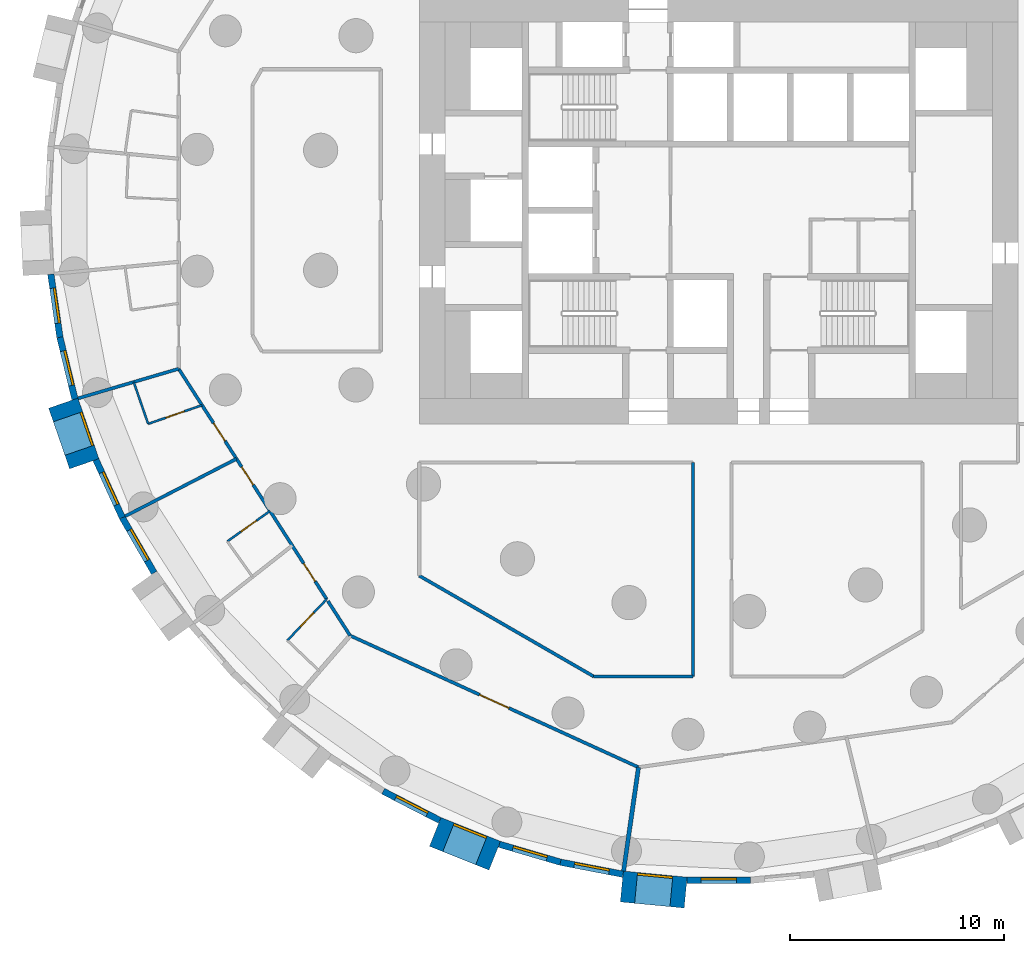
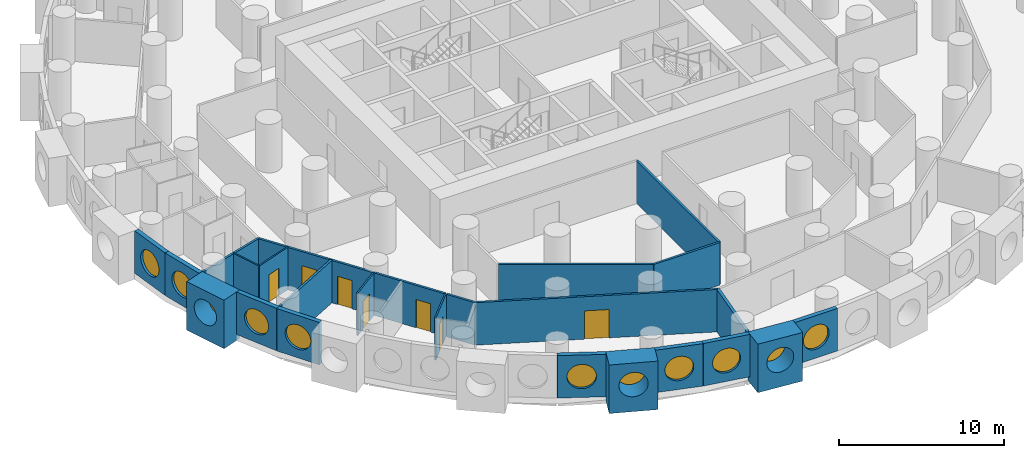
# One storey, part 3 of 12: 24 walls, 11 windows, 7 doors, 18 openings.
"""IFC4 building model written with IfcOpenShell, lengths in metres."""

from ifc_helpers import new_model, si_unit, direction, frame, frame_2d, origin, origin_2d, place, context, subcontext, project, spatial, rectangle, circle, extrude, material, layer, layer_set, type_object, element, fill, save


model = new_model("IFC4")

# Units and contexts
model_context = context("Model", 3, precision=1e-05, world=origin(), true_north=direction((0.0, 1.0)))
body_context = subcontext(model_context, "Body", "Model", "MODEL_VIEW")
ifc_project = project(units=[si_unit("LENGTHUNIT", "METRE"), si_unit("AREAUNIT", "SQUARE_METRE"), si_unit("VOLUMEUNIT", "CUBIC_METRE"), si_unit("PLANEANGLEUNIT", "RADIAN"), si_unit("MASSUNIT", "GRAM", prefix="KILO")], contexts=[model_context])

# Site, building, storey
site_placement = place(None, origin())
site = spatial("IfcSite", under=ifc_project, at=site_placement, CompositionType="ELEMENT")
building_placement = place(site_placement, origin())
building = spatial("IfcBuilding", under=site, at=building_placement, Name="Tracery Tower", CompositionType="ELEMENT")
storey_placement = place(building_placement, frame((0.0, 0.0, 35.39990234375)))
storey = spatial("IfcBuildingStorey", under=building, at=storey_placement, Name="L07", CompositionType="ELEMENT", Elevation=35.39990234375)

# Wall, opening, window
ifc_material_1 = material(Name="Precast concrete C50/60", Category="concrete")
ifc_layer_1 = layer(ifc_material_1, 1.449951171875)
ifc_layer_set_1 = layer_set([ifc_layer_1], Name="Deep-set bay unit 3000 x 3600, slab edge 450")
wall_type_1 = type_object("IfcWallType", Name="Deep-set bay unit 3000 x 3600, slab edge 450", PredefinedType="ELEMENTEDWALL", material=ifc_layer_set_1)
wall_1_placement = place(storey_placement, frame((-30.649169921875, -9.0205078125, -0.449951171875), z_axis=(0.0, 0.0, 1.0), x_axis=(0.327071431777, -0.944999618262, 0.0)))
wall_1 = element("IfcWall", 1, at=wall_1_placement, inside=storey, type_object=wall_type_1, Name="Deep-set bay unit 37 at L07", PredefinedType="ELEMENTEDWALL", context=body_context, shape_type="SweptSolid", body=[
    extrude(rectangle(XDim=3.0, YDim=1.449951171875, at=frame_2d((1.5, 0.0))), origin(), (0.0, 0.0, 1.0), 3.60009765625),
])
opening_1_placement = place(wall_1_placement, frame((1.5, 0.0, 2.0)))
opening_1 = element("IfcOpeningElement", 2, at=opening_1_placement, cuts=wall_1, Name="Opening WN1", PredefinedType="OPENING", context=body_context, shape_type="SweptSolid", body=[
    extrude(circle(Radius=0.9000244140625, at=origin_2d()), frame((0.0, 0.73486328125, 0.0), z_axis=(0.0, -1.0, 0.0), x_axis=(1.0, 0.0, 0.0)), (0.0, 0.0, 1.0), 1.469970703125),
])
ifc_material_2 = material(Name="Aluminium frame with tinted double glazing", Category="aluminium")
window_type = type_object("IfcWindowType", Name="Round window 1800", PartitioningType="SINGLE_PANEL", PredefinedType="WINDOW", material=ifc_material_2)
window_1_placement = place(opening_1_placement, origin())
window_1 = element("IfcWindow", 3, at=window_1_placement, inside=storey, type_object=window_type, Name="Round window 37 at L07", OverallHeight=1.800048828125, OverallWidth=1.800048828125, PartitioningType="SINGLE_PANEL", PredefinedType="WINDOW", context=body_context, shape_type="SweptSolid", body=[
    extrude(circle(Radius=0.9000244140625, at=origin_2d()), frame((0.0, 0.69482421875, 0.0), z_axis=(0.0, -1.0, 0.0), x_axis=(1.0, 0.0, 0.0)), (0.0, 0.0, 1.0), 0.10009765625),
])
fill(opening_1, window_1)

wall_2_placement = place(storey_placement, frame((-13.253662109375, -29.0703125, -0.449951171875), z_axis=(0.0, 0.0, 1.0), x_axis=(0.928358776184, -0.371685327504, 0.0)))
wall_2 = element("IfcWall", 4, at=wall_2_placement, inside=storey, type_object=wall_type_1, Name="Deep-set bay unit 46 at L07", PredefinedType="ELEMENTEDWALL", context=body_context, shape_type="SweptSolid", body=[
    extrude(rectangle(XDim=2.999755859375, YDim=1.449951171875, at=frame_2d((1.5, 0.0))), origin(), (0.0, 0.0, 1.0), 3.60009765625),
])
opening_2_placement = place(wall_2_placement, frame((1.5, 0.0, 2.0)))
opening_2 = element("IfcOpeningElement", 5, at=opening_2_placement, cuts=wall_2, Name="Opening WN1", PredefinedType="OPENING", context=body_context, shape_type="SweptSolid", body=[
    extrude(circle(Radius=0.9000244140625, at=origin_2d()), frame((0.0, 0.73486328125, 0.0), z_axis=(0.0, -1.0, 0.0), x_axis=(1.0, 0.0, 0.0)), (0.0, 0.0, 1.0), 1.469970703125),
])
window_2_placement = place(opening_2_placement, origin())
window_2 = element("IfcWindow", 6, at=window_2_placement, inside=storey, type_object=window_type, Name="Round window 46 at L07", OverallHeight=1.800048828125, OverallWidth=1.800048828125, PartitioningType="SINGLE_PANEL", PredefinedType="WINDOW", context=body_context, shape_type="SweptSolid", body=[
    extrude(circle(Radius=0.9000244140625, at=origin_2d()), frame((0.0, 0.69482421875, 0.0), z_axis=(0.0, -1.0, 0.0), x_axis=(1.0, 0.0, 0.0)), (0.0, 0.0, 1.0), 0.10009765625),
])
fill(opening_2, window_2)

wall_3_placement = place(storey_placement, frame((-4.52685546875, -31.626708984375, -0.449951171875), z_axis=(0.0, 0.0, 1.0), x_axis=(0.995472768558, -0.09504718333, 0.0)))
wall_3 = element("IfcWall", 7, at=wall_3_placement, inside=storey, type_object=wall_type_1, Name="Deep-set bay unit 49 at L07", PredefinedType="ELEMENTEDWALL", context=body_context, shape_type="SweptSolid", body=[
    extrude(rectangle(XDim=3.000244140625, YDim=1.449951171875, at=frame_2d((1.5, 0.0))), origin(), (0.0, 0.0, 1.0), 3.60009765625),
])
opening_3_placement = place(wall_3_placement, frame((1.5, 0.0, 2.0)))
opening_3 = element("IfcOpeningElement", 8, at=opening_3_placement, cuts=wall_3, Name="Opening WN1", PredefinedType="OPENING", context=body_context, shape_type="SweptSolid", body=[
    extrude(circle(Radius=0.9000244140625, at=origin_2d()), frame((0.0, 0.73486328125, 0.0), z_axis=(0.0, -1.0, 0.0), x_axis=(1.0, 0.0, 0.0)), (0.0, 0.0, 1.0), 1.469970703125),
])
window_3_placement = place(opening_3_placement, origin())
window_3 = element("IfcWindow", 9, at=window_3_placement, inside=storey, type_object=window_type, Name="Round window 49 at L07", OverallHeight=1.800048828125, OverallWidth=1.800048828125, PartitioningType="SINGLE_PANEL", PredefinedType="WINDOW", context=body_context, shape_type="SweptSolid", body=[
    extrude(circle(Radius=0.9000244140625, at=origin_2d()), frame((0.0, 0.69482421875, 0.0), z_axis=(0.0, -1.0, 0.0), x_axis=(1.0, 0.0, 0.0)), (0.0, 0.0, 1.0), 0.10009765625),
])
fill(opening_3, window_3)

ifc_material_3 = material(Name="Precast concrete C50/60", Category="concrete")
ifc_layer_2 = layer(ifc_material_3, 0.300048828125)
ifc_layer_set_2 = layer_set([ifc_layer_2], Name="Facade panel 3000 x 3150")
wall_type_2 = type_object("IfcWallType", Name="Facade panel 3000 x 3150", PredefinedType="SOLIDWALL", material=ifc_layer_set_2)
wall_4_placement = place(storey_placement, frame((-31.2314453125, -2.98828125, 0.0), z_axis=(0.0, 0.0, 1.0), x_axis=(0.142315996627, -0.989821275334, 0.0)))
wall_4 = element("IfcWall", 10, at=wall_4_placement, inside=storey, type_object=wall_type_2, Name="Facade panel 35 at L07", PredefinedType="SOLIDWALL", context=body_context, shape_type="SweptSolid", body=[
    extrude(rectangle(XDim=2.979736328125, YDim=0.300048828125, at=frame_2d((1.48974609375, 0.0))), origin(), (0.0, 0.0, 1.0), 3.150146484375),
])
opening_4_placement = place(wall_4_placement, frame((1.48974609375, 0.0, 1.5498046875)))
opening_4 = element("IfcOpeningElement", 11, at=opening_4_placement, cuts=wall_4, Name="Opening WN1", PredefinedType="OPENING", context=body_context, shape_type="SweptSolid", body=[
    extrude(circle(Radius=0.9000244140625, at=origin_2d()), frame((0.0, 0.159912109375, 0.0), z_axis=(0.0, -1.0, 0.0), x_axis=(1.0, 0.0, 0.0)), (0.0, 0.0, 1.0), 0.320068359375),
])
window_4_placement = place(opening_4_placement, origin())
window_4 = element("IfcWindow", 12, at=window_4_placement, inside=storey, type_object=window_type, Name="Round window 35 at L07", OverallHeight=1.800048828125, OverallWidth=1.800048828125, PartitioningType="SINGLE_PANEL", PredefinedType="WINDOW", context=body_context, shape_type="SweptSolid", body=[
    extrude(circle(Radius=0.9000244140625, at=origin_2d()), frame((0.0, 0.1201171875, 0.0), z_axis=(0.0, -1.0, 0.0), x_axis=(1.0, 0.0, 0.0)), (0.0, 0.0, 1.0), 0.10009765625),
])
fill(opening_4, window_4)

wall_5_placement = place(storey_placement, frame((-30.807373046875, -5.937744140625, 0.0), z_axis=(0.0, 0.0, 1.0), x_axis=(0.235743081534, -0.971815414319, 0.0)))
wall_5 = element("IfcWall", 13, at=wall_5_placement, inside=storey, type_object=wall_type_2, Name="Facade panel 36 at L07", PredefinedType="SOLIDWALL", context=body_context, shape_type="SweptSolid", body=[
    extrude(rectangle(XDim=2.9794921875, YDim=0.300048828125, at=frame_2d((1.48974609375, 0.0))), origin(), (0.0, 0.0, 1.0), 3.150146484375),
])
opening_5_placement = place(wall_5_placement, frame((1.48974609375, 0.0, 1.5498046875)))
opening_5 = element("IfcOpeningElement", 14, at=opening_5_placement, cuts=wall_5, Name="Opening WN1", PredefinedType="OPENING", context=body_context, shape_type="SweptSolid", body=[
    extrude(circle(Radius=0.9000244140625, at=origin_2d()), frame((0.0, 0.159912109375, 0.0), z_axis=(0.0, -1.0, 0.0), x_axis=(1.0, 0.0, 0.0)), (0.0, 0.0, 1.0), 0.320068359375),
])
window_5_placement = place(opening_5_placement, origin())
window_5 = element("IfcWindow", 15, at=window_5_placement, inside=storey, type_object=window_type, Name="Round window 36 at L07", OverallHeight=1.800048828125, OverallWidth=1.800048828125, PartitioningType="SINGLE_PANEL", PredefinedType="WINDOW", context=body_context, shape_type="SweptSolid", body=[
    extrude(circle(Radius=0.9000244140625, at=origin_2d()), frame((0.0, 0.1201171875, 0.0), z_axis=(0.0, -1.0, 0.0), x_axis=(1.0, 0.0, 0.0)), (0.0, 0.0, 1.0), 0.10009765625),
])
fill(opening_5, window_5)

wall_6_placement = place(storey_placement, frame((-29.12451171875, -11.666259765625, 0.0), z_axis=(0.0, 0.0, 1.0), x_axis=(0.415407317162, -0.909635509888, 0.0)))
wall_6 = element("IfcWall", 16, at=wall_6_placement, inside=storey, type_object=wall_type_2, Name="Facade panel 38 at L07", PredefinedType="SOLIDWALL", context=body_context, shape_type="SweptSolid", body=[
    extrude(rectangle(XDim=2.979736328125, YDim=0.300048828125, at=frame_2d((1.48974609375, 0.0))), origin(), (0.0, 0.0, 1.0), 3.150146484375),
])
opening_6_placement = place(wall_6_placement, frame((1.48974609375, 0.0, 1.5498046875)))
opening_6 = element("IfcOpeningElement", 17, at=opening_6_placement, cuts=wall_6, Name="Opening WN1", PredefinedType="OPENING", context=body_context, shape_type="SweptSolid", body=[
    extrude(circle(Radius=0.9000244140625, at=origin_2d()), frame((0.0, 0.159912109375, 0.0), z_axis=(0.0, -1.0, 0.0), x_axis=(1.0, 0.0, 0.0)), (0.0, 0.0, 1.0), 0.320068359375),
])
window_6_placement = place(opening_6_placement, origin())
window_6 = element("IfcWindow", 18, at=window_6_placement, inside=storey, type_object=window_type, Name="Round window 38 at L07", OverallHeight=1.800048828125, OverallWidth=1.800048828125, PartitioningType="SINGLE_PANEL", PredefinedType="WINDOW", context=body_context, shape_type="SweptSolid", body=[
    extrude(circle(Radius=0.9000244140625, at=origin_2d()), frame((0.0, 0.1201171875, 0.0), z_axis=(0.0, -1.0, 0.0), x_axis=(1.0, 0.0, 0.0)), (0.0, 0.0, 1.0), 0.10009765625),
])
fill(opening_6, window_6)

wall_7_placement = place(storey_placement, frame((-27.88671875, -14.376708984375, 0.0), z_axis=(0.0, 0.0, 1.0), x_axis=(0.499999078476, -0.866025935826, 0.0)))
wall_7 = element("IfcWall", 19, at=wall_7_placement, inside=storey, type_object=wall_type_2, Name="Facade panel 39 at L07", PredefinedType="SOLIDWALL", context=body_context, shape_type="SweptSolid", body=[
    extrude(rectangle(XDim=2.9794921875, YDim=0.300048828125, at=frame_2d((1.48974609375, 0.0))), origin(), (0.0, 0.0, 1.0), 3.150146484375),
])
opening_7_placement = place(wall_7_placement, frame((1.48974609375, 0.0, 1.5498046875)))
opening_7 = element("IfcOpeningElement", 20, at=opening_7_placement, cuts=wall_7, Name="Opening WN1", PredefinedType="OPENING", context=body_context, shape_type="SweptSolid", body=[
    extrude(circle(Radius=0.9000244140625, at=origin_2d()), frame((0.0, 0.159912109375, 0.0), z_axis=(0.0, -1.0, 0.0), x_axis=(1.0, 0.0, 0.0)), (0.0, 0.0, 1.0), 0.320068359375),
])
window_7_placement = place(opening_7_placement, origin())
window_7 = element("IfcWindow", 21, at=window_7_placement, inside=storey, type_object=window_type, Name="Round window 39 at L07", OverallHeight=1.800048828125, OverallWidth=1.800048828125, PartitioningType="SINGLE_PANEL", PredefinedType="WINDOW", context=body_context, shape_type="SweptSolid", body=[
    extrude(circle(Radius=0.9000244140625, at=origin_2d()), frame((0.0, 0.1201171875, 0.0), z_axis=(0.0, -1.0, 0.0), x_axis=(1.0, 0.0, 0.0)), (0.0, 0.0, 1.0), 0.10009765625),
])
fill(opening_7, window_7)

wall_8_placement = place(storey_placement, frame((-15.687255859375, -27.171142578125, 0.0), z_axis=(0.0, 0.0, 1.0), x_axis=(0.888853225096, -0.4581920386, 0.0)))
wall_8 = element("IfcWall", 22, at=wall_8_placement, inside=storey, type_object=wall_type_2, Name="Facade panel 45 at L07", PredefinedType="SOLIDWALL", context=body_context, shape_type="SweptSolid", body=[
    extrude(rectangle(XDim=2.9794921875, YDim=0.300048828125, at=frame_2d((1.48974609375, 0.0))), origin(), (0.0, 0.0, 1.0), 3.150146484375),
])
opening_8_placement = place(wall_8_placement, frame((1.48974609375, 0.0, 1.5498046875)))
opening_8 = element("IfcOpeningElement", 23, at=opening_8_placement, cuts=wall_8, Name="Opening WN1", PredefinedType="OPENING", context=body_context, shape_type="SweptSolid", body=[
    extrude(circle(Radius=0.9000244140625, at=origin_2d()), frame((0.0, 0.159912109375, 0.0), z_axis=(0.0, -1.0, 0.0), x_axis=(1.0, 0.0, 0.0)), (0.0, 0.0, 1.0), 0.320068359375),
])
window_8_placement = place(opening_8_placement, origin())
window_8 = element("IfcWindow", 24, at=window_8_placement, inside=storey, type_object=window_type, Name="Round window 45 at L07", OverallHeight=1.800048828125, OverallWidth=1.800048828125, PartitioningType="SINGLE_PANEL", PredefinedType="WINDOW", context=body_context, shape_type="SweptSolid", body=[
    extrude(circle(Radius=0.9000244140625, at=origin_2d()), frame((0.0, 0.1201171875, 0.0), z_axis=(0.0, -1.0, 0.0), x_axis=(1.0, 0.0, 0.0)), (0.0, 0.0, 1.0), 0.10009765625),
])
fill(opening_8, window_8)

wall_9_placement = place(storey_placement, frame((-10.255859375, -29.650634765625, 0.0), z_axis=(0.0, 0.0, 1.0), x_axis=(0.959507586834, -0.28168278401, 0.0)))
wall_9 = element("IfcWall", 25, at=wall_9_placement, inside=storey, type_object=wall_type_2, Name="Facade panel 47 at L07", PredefinedType="SOLIDWALL", context=body_context, shape_type="SweptSolid", body=[
    extrude(rectangle(XDim=2.979736328125, YDim=0.300048828125, at=frame_2d((1.48974609375, 0.0))), origin(), (0.0, 0.0, 1.0), 3.150146484375),
])
opening_9_placement = place(wall_9_placement, frame((1.48974609375, 0.0, 1.5498046875)))
opening_9 = element("IfcOpeningElement", 26, at=opening_9_placement, cuts=wall_9, Name="Opening WN1", PredefinedType="OPENING", context=body_context, shape_type="SweptSolid", body=[
    extrude(circle(Radius=0.9000244140625, at=origin_2d()), frame((0.0, 0.159912109375, 0.0), z_axis=(0.0, -1.0, 0.0), x_axis=(1.0, 0.0, 0.0)), (0.0, 0.0, 1.0), 0.320068359375),
])
window_9_placement = place(opening_9_placement, origin())
window_9 = element("IfcWindow", 27, at=window_9_placement, inside=storey, type_object=window_type, Name="Round window 47 at L07", OverallHeight=1.800048828125, OverallWidth=1.800048828125, PartitioningType="SINGLE_PANEL", PredefinedType="WINDOW", context=body_context, shape_type="SweptSolid", body=[
    extrude(circle(Radius=0.9000244140625, at=origin_2d()), frame((0.0, 0.1201171875, 0.0), z_axis=(0.0, -1.0, 0.0), x_axis=(1.0, 0.0, 0.0)), (0.0, 0.0, 1.0), 0.10009765625),
])
fill(opening_9, window_9)

wall_10_placement = place(storey_placement, frame((-7.396728515625, -30.489990234375, 0.0), z_axis=(0.0, 0.0, 1.0), x_axis=(0.981924535406, -0.189272836848, 0.0)))
wall_10 = element("IfcWall", 28, at=wall_10_placement, inside=storey, type_object=wall_type_2, Name="Facade panel 48 at L07", PredefinedType="SOLIDWALL", context=body_context, shape_type="SweptSolid", body=[
    extrude(rectangle(XDim=2.979736328125, YDim=0.300048828125, at=frame_2d((1.48974609375, 0.0))), origin(), (0.0, 0.0, 1.0), 3.150146484375),
])
opening_10_placement = place(wall_10_placement, frame((1.48974609375, 0.0, 1.5498046875)))
opening_10 = element("IfcOpeningElement", 29, at=opening_10_placement, cuts=wall_10, Name="Opening WN1", PredefinedType="OPENING", context=body_context, shape_type="SweptSolid", body=[
    extrude(circle(Radius=0.9000244140625, at=origin_2d()), frame((0.0, 0.159912109375, 0.0), z_axis=(0.0, -1.0, 0.0), x_axis=(1.0, 0.0, 0.0)), (0.0, 0.0, 1.0), 0.320068359375),
])
window_10_placement = place(opening_10_placement, origin())
window_10 = element("IfcWindow", 30, at=window_10_placement, inside=storey, type_object=window_type, Name="Round window 48 at L07", OverallHeight=1.800048828125, OverallWidth=1.800048828125, PartitioningType="SINGLE_PANEL", PredefinedType="WINDOW", context=body_context, shape_type="SweptSolid", body=[
    extrude(circle(Radius=0.9000244140625, at=origin_2d()), frame((0.0, 0.1201171875, 0.0), z_axis=(0.0, -1.0, 0.0), x_axis=(1.0, 0.0, 0.0)), (0.0, 0.0, 1.0), 0.10009765625),
])
fill(opening_10, window_10)

wall_11_placement = place(storey_placement, frame((-1.48681640625, -31.3388671875, 0.0), z_axis=(0.0, 0.0, 1.0), x_axis=(1.0, 0.0, 0.0)))
wall_11 = element("IfcWall", 31, at=wall_11_placement, inside=storey, type_object=wall_type_2, Name="Facade panel 50 at L07", PredefinedType="SOLIDWALL", context=body_context, shape_type="SweptSolid", body=[
    extrude(rectangle(XDim=2.979736328125, YDim=0.300048828125, at=frame_2d((1.48974609375, 0.0))), origin(), (0.0, 0.0, 1.0), 3.150146484375),
])
opening_11_placement = place(wall_11_placement, frame((1.48974609375, 0.0, 1.5498046875)))
opening_11 = element("IfcOpeningElement", 32, at=opening_11_placement, cuts=wall_11, Name="Opening WN1", PredefinedType="OPENING", context=body_context, shape_type="SweptSolid", body=[
    extrude(circle(Radius=0.9000244140625, at=origin_2d()), frame((0.0, 0.159912109375, 0.0), z_axis=(0.0, -1.0, 0.0), x_axis=(1.0, 0.0, 0.0)), (0.0, 0.0, 1.0), 0.320068359375),
])
window_11_placement = place(opening_11_placement, origin())
window_11 = element("IfcWindow", 33, at=window_11_placement, inside=storey, type_object=window_type, Name="Round window 50 at L07", OverallHeight=1.800048828125, OverallWidth=1.800048828125, PartitioningType="SINGLE_PANEL", PredefinedType="WINDOW", context=body_context, shape_type="SweptSolid", body=[
    extrude(circle(Radius=0.9000244140625, at=origin_2d()), frame((0.0, 0.1201171875, 0.0), z_axis=(0.0, -1.0, 0.0), x_axis=(1.0, 0.0, 0.0)), (0.0, 0.0, 1.0), 0.10009765625),
])
fill(opening_11, window_11)

# Wall
ifc_material_4 = material(Name="Plasterboard on steel studs", Category="steel")
ifc_layer_3 = layer(ifc_material_4, 0.10009765625)
ifc_layer_set_3 = layer_set([ifc_layer_3], Name="Partition 100 wet wall")
wall_type_3 = type_object("IfcWallType", Name="Partition 100 wet wall", PredefinedType="PARTITIONING", material=ifc_layer_set_3)
wall_12_placement = place(storey_placement, frame((-27.35595703125, -8.031982421875, 0.0), z_axis=(0.0, 0.0, 1.0), x_axis=(0.326924291943, -0.945050531632, 0.0)))
element("IfcWall", 34, at=wall_12_placement, inside=storey, type_object=wall_type_3, Name="Wet wall RA1-103", PredefinedType="PARTITIONING", context=body_context, shape_type="SweptSolid", body=[
    extrude(rectangle(XDim=2.07080078125, YDim=0.10009765625, at=frame_2d((1.035400390625, 0.0))), origin(), (0.0, 0.0, 1.0), 3.150146484375),
])

# Wall, opening, door
wall_13_placement = place(storey_placement, frame((-26.678955078125, -9.989013671875, 0.0), z_axis=(0.0, 0.0, 1.0), x_axis=(0.945014370431, 0.327028805578, 0.0)))
wall_13 = element("IfcWall", 35, at=wall_13_placement, inside=storey, type_object=wall_type_3, Name="Wet wall RA1-104", PredefinedType="PARTITIONING", context=body_context, shape_type="SweptSolid", body=[
    extrude(rectangle(XDim=2.666748046875, YDim=0.10009765625, at=frame_2d((1.33349609375, 0.0))), origin(), (0.0, 0.0, 1.0), 3.150146484375),
])
opening_12_placement = place(wall_13_placement, frame((0.883056640625, 0.0, 0.0)))
opening_12 = element("IfcOpeningElement", 36, at=opening_12_placement, cuts=wall_13, Name="Opening RA1-39", PredefinedType="OPENING", context=body_context, shape_type="SweptSolid", body=[
    extrude(rectangle(XDim=0.89990234375, YDim=2.0400390625, at=frame_2d((0.449951171875, 1.02001953125))), frame((0.0, 0.050048828125, 0.0), z_axis=(0.0, -1.0, 0.0), x_axis=(1.0, 0.0, 0.0)), (0.0, 0.0, 1.0), 0.10009765625),
])
ifc_material_5 = material(Name="Timber door leaf", Category="wood")
door_type_1 = type_object("IfcDoorType", Name="Door en-suite 900", OperationType="NOTDEFINED", PredefinedType="DOOR", material=ifc_material_5)
door_1_placement = place(opening_12_placement, origin())
door_1 = element("IfcDoor", 37, at=door_1_placement, inside=storey, type_object=door_type_1, Name="En-suite door RA1-39", OperationType="SINGLE_SWING_LEFT", OverallHeight=2.0400390625, OverallWidth=0.89990234375, PredefinedType="DOOR", context=body_context, shape_type="SweptSolid", body=[
    extrude(rectangle(XDim=0.89990234375, YDim=2.0400390625, at=frame_2d((0.449951171875, 1.02001953125))), frame((0.0, 0.02490234375, 0.0), z_axis=(0.0, -1.0, 0.0), x_axis=(1.0, 0.0, 0.0)), (0.0, 0.0, 1.0), 0.050048828125),
])
fill(opening_12, door_1)

wall_14_placement = place(storey_placement, frame((-22.97802734375, -15.486083984375, 0.0), z_axis=(0.0, 0.0, 1.0), x_axis=(0.814519517834, 0.580136152181, 0.0)))
wall_14 = element("IfcWall", 38, at=wall_14_placement, inside=storey, type_object=wall_type_3, Name="Wet wall RA1-106", PredefinedType="PARTITIONING", context=body_context, shape_type="SweptSolid", body=[
    extrude(rectangle(XDim=2.453125, YDim=0.10009765625, at=frame_2d((1.2265625, 0.0))), origin(), (0.0, 0.0, 1.0), 3.150146484375),
])
opening_13_placement = place(wall_14_placement, frame((0.77685546875, 0.0, 0.0)))
opening_13 = element("IfcOpeningElement", 39, at=opening_13_placement, cuts=wall_14, Name="Opening RA1-41", PredefinedType="OPENING", context=body_context, shape_type="SweptSolid", body=[
    extrude(rectangle(XDim=0.89990234375, YDim=2.0400390625, at=frame_2d((0.449951171875, 1.02001953125))), frame((0.0, 0.050048828125, 0.0), z_axis=(0.0, -1.0, 0.0), x_axis=(1.0, 0.0, 0.0)), (0.0, 0.0, 1.0), 0.10009765625),
])
door_2_placement = place(opening_13_placement, origin())
door_2 = element("IfcDoor", 40, at=door_2_placement, inside=storey, type_object=door_type_1, Name="En-suite door RA1-41", OperationType="SINGLE_SWING_LEFT", OverallHeight=2.0400390625, OverallWidth=0.89990234375, PredefinedType="DOOR", context=body_context, shape_type="SweptSolid", body=[
    extrude(rectangle(XDim=0.89990234375, YDim=2.0400390625, at=frame_2d((0.449951171875, 1.02001953125))), frame((0.0, 0.02490234375, 0.0), z_axis=(0.0, -1.0, 0.0), x_axis=(1.0, 0.0, 0.0)), (0.0, 0.0, 1.0), 0.050048828125),
])
fill(opening_13, door_2)

wall_15_placement = place(storey_placement, frame((-20.1689453125, -20.117919921875, 0.0), z_axis=(0.0, 0.0, 1.0), x_axis=(0.690011756227, 0.723798159896, 0.0)))
wall_15 = element("IfcWall", 41, at=wall_15_placement, inside=storey, type_object=wall_type_3, Name="Wet wall RA1-109", PredefinedType="PARTITIONING", context=body_context, shape_type="SweptSolid", body=[
    extrude(rectangle(XDim=2.66650390625, YDim=0.10009765625, at=frame_2d((1.333251953125, 0.0))), origin(), (0.0, 0.0, 1.0), 3.150146484375),
])
opening_14_placement = place(wall_15_placement, frame((0.883544921875, 0.0, 0.0)))
opening_14 = element("IfcOpeningElement", 42, at=opening_14_placement, cuts=wall_15, Name="Opening RA1-43", PredefinedType="OPENING", context=body_context, shape_type="SweptSolid", body=[
    extrude(rectangle(XDim=0.89990234375, YDim=2.0400390625, at=frame_2d((0.449951171875, 1.02001953125))), frame((0.0, 0.050048828125, 0.0), z_axis=(0.0, -1.0, 0.0), x_axis=(1.0, 0.0, 0.0)), (0.0, 0.0, 1.0), 0.10009765625),
])
door_3_placement = place(opening_14_placement, origin())
door_3 = element("IfcDoor", 43, at=door_3_placement, inside=storey, type_object=door_type_1, Name="En-suite door RA1-43", OperationType="SINGLE_SWING_LEFT", OverallHeight=2.0400390625, OverallWidth=0.89990234375, PredefinedType="DOOR", context=body_context, shape_type="SweptSolid", body=[
    extrude(rectangle(XDim=0.89990234375, YDim=2.0400390625, at=frame_2d((0.449951171875, 1.02001953125))), frame((0.0, 0.02490234375, 0.0), z_axis=(0.0, -1.0, 0.0), x_axis=(1.0, 0.0, 0.0)), (0.0, 0.0, 1.0), 0.050048828125),
])
fill(opening_14, door_3)

# Walls
ifc_material_6 = material(Name="Plasterboard on steel studs", Category="steel")
ifc_layer_4 = layer(ifc_material_6, 0.14990234375)
ifc_layer_set_4 = layer_set([ifc_layer_4], Name="Partition 150 acoustic unit wall")
wall_type_4 = type_object("IfcWallType", Name="Partition 150 acoustic unit wall", PredefinedType="PARTITIONING", material=ifc_layer_set_4)
wall_16_placement = place(storey_placement, frame((-29.958984375, -8.797119140625, 0.0), z_axis=(0.0, 0.0, 1.0), x_axis=(0.959434430266, 0.281931860598, 0.0)))
element("IfcWall", 44, at=wall_16_placement, inside=storey, type_object=wall_type_4, Name="Unit wall RA1-102", PredefinedType="PARTITIONING", context=body_context, shape_type="SweptSolid", body=[
    extrude(rectangle(XDim=4.90478515625, YDim=0.14990234375, at=frame_2d((2.452392578125, 0.0))), origin(), (0.0, 0.0, 1.0), 3.150146484375),
])
wall_17_placement = place(storey_placement, frame((-27.7529296875, -14.30810546875, 0.0), z_axis=(0.0, 0.0, 1.0), x_axis=(0.88877955153, 0.45833493079, 0.0)))
element("IfcWall", 45, at=wall_17_placement, inside=storey, type_object=wall_type_4, Name="Unit wall RA1-105", PredefinedType="PARTITIONING", context=body_context, shape_type="SweptSolid", body=[
    extrude(rectangle(XDim=5.856201171875, YDim=0.14990234375, at=frame_2d((2.92822265625, 0.0))), origin(), (0.0, 0.0, 1.0), 3.150146484375),
])

# Wall, openings, doors
ifc_material_7 = material(Name="Plasterboard on steel studs", Category="steel")
ifc_layer_5 = layer(ifc_material_7, 0.14990234375)
ifc_layer_set_5 = layer_set([ifc_layer_5], Name="Partition 150 corridor wall")
wall_type_5 = type_object("IfcWallType", Name="Partition 150 corridor wall", PredefinedType="PARTITIONING", material=ifc_layer_set_5)
wall_18_placement = place(storey_placement, frame((-25.252197265625, -7.41455078125, 0.0), z_axis=(0.0, 0.0, 1.0), x_axis=(0.540498462047, -0.84134500208, 0.0)))
wall_18 = element("IfcWall", 46, at=wall_18_placement, inside=storey, type_object=wall_type_5, Name="Corridor wall RA1-045", PredefinedType="PARTITIONING", context=body_context, shape_type="SweptSolid", body=[
    extrude(rectangle(XDim=12.810546875, YDim=0.14990234375, at=frame_2d((6.4052734375, 0.0))), origin(), (0.0, 0.0, 1.0), 3.150146484375),
])
opening_15_placement = place(wall_18_placement, frame((3.012939453125, 0.0, 0.0)))
opening_15 = element("IfcOpeningElement", 47, at=opening_15_placement, cuts=wall_18, Name="Opening RA1-40", PredefinedType="OPENING", context=body_context, shape_type="SweptSolid", body=[
    extrude(rectangle(XDim=1.0, YDim=2.10009765625, at=frame_2d((0.5, 1.050048828125))), frame((0.0, 0.074951171875, 0.0), z_axis=(0.0, -1.0, 0.0), x_axis=(1.0, 0.0, 0.0)), (0.0, 0.0, 1.0), 0.14990234375),
])
opening_16_placement = place(wall_18_placement, frame((5.452392578125, 0.0, 0.0)))
opening_16 = element("IfcOpeningElement", 48, at=opening_16_placement, cuts=wall_18, Name="Opening RA1-42", PredefinedType="OPENING", context=body_context, shape_type="SweptSolid", body=[
    extrude(rectangle(XDim=1.0, YDim=2.10009765625, at=frame_2d((0.5, 1.050048828125))), frame((0.0, 0.074951171875, 0.0), z_axis=(0.0, -1.0, 0.0), x_axis=(1.0, 0.0, 0.0)), (0.0, 0.0, 1.0), 0.14990234375),
])
opening_17_placement = place(wall_18_placement, frame((10.816650390625, 0.0, 0.0)))
opening_17 = element("IfcOpeningElement", 49, at=opening_17_placement, cuts=wall_18, Name="Opening RA1-44", PredefinedType="OPENING", context=body_context, shape_type="SweptSolid", body=[
    extrude(rectangle(XDim=1.0, YDim=2.10009765625, at=frame_2d((0.5, 1.050048828125))), frame((0.0, 0.074951171875, 0.0), z_axis=(0.0, -1.0, 0.0), x_axis=(1.0, 0.0, 0.0)), (0.0, 0.0, 1.0), 0.14990234375),
])
ifc_material_8 = material(Name="Timber door leaf", Category="wood")
door_type_2 = type_object("IfcDoorType", Name="Door unit entrance 1000", OperationType="NOTDEFINED", PredefinedType="DOOR", material=ifc_material_8)
door_4_placement = place(opening_15_placement, origin())
door_4 = element("IfcDoor", 50, at=door_4_placement, inside=storey, type_object=door_type_2, Name="Unit entrance door RA1-40", OperationType="SINGLE_SWING_LEFT", OverallHeight=2.10009765625, OverallWidth=1.0, PredefinedType="DOOR", context=body_context, shape_type="SweptSolid", body=[
    extrude(rectangle(XDim=1.0, YDim=2.10009765625, at=frame_2d((0.5, 1.050048828125))), frame((0.0, 0.02490234375, 0.0), z_axis=(0.0, -1.0, 0.0), x_axis=(1.0, 0.0, 0.0)), (0.0, 0.0, 1.0), 0.050048828125),
])
fill(opening_15, door_4)
door_5_placement = place(opening_16_placement, origin())
door_5 = element("IfcDoor", 51, at=door_5_placement, inside=storey, type_object=door_type_2, Name="Unit entrance door RA1-42", OperationType="SINGLE_SWING_RIGHT", OverallHeight=2.10009765625, OverallWidth=1.0, PredefinedType="DOOR", context=body_context, shape_type="SweptSolid", body=[
    extrude(rectangle(XDim=1.0, YDim=2.10009765625, at=frame_2d((0.5, 1.050048828125))), frame((0.0, 0.02490234375, 0.0), z_axis=(0.0, -1.0, 0.0), x_axis=(1.0, 0.0, 0.0)), (0.0, 0.0, 1.0), 0.050048828125),
])
fill(opening_16, door_5)
door_6_placement = place(opening_17_placement, origin())
door_6 = element("IfcDoor", 52, at=door_6_placement, inside=storey, type_object=door_type_2, Name="Unit entrance door RA1-44", OperationType="SINGLE_SWING_LEFT", OverallHeight=2.10009765625, OverallWidth=1.0, PredefinedType="DOOR", context=body_context, shape_type="SweptSolid", body=[
    extrude(rectangle(XDim=1.0, YDim=2.10009765625, at=frame_2d((0.5, 1.050048828125))), frame((0.0, 0.02490234375, 0.0), z_axis=(0.0, -1.0, 0.0), x_axis=(1.0, 0.0, 0.0)), (0.0, 0.0, 1.0), 0.050048828125),
])
fill(opening_17, door_6)

# Walls
wall_19_placement = place(storey_placement, frame((-14.0, -17.092041015625, 0.0), z_axis=(0.0, 0.0, 1.0), x_axis=(0.86602719091, -0.499996904595, 0.0)))
element("IfcWall", 53, at=wall_19_placement, inside=storey, type_object=wall_type_5, Name="Corridor wall RA1-046", PredefinedType="PARTITIONING", context=body_context, shape_type="SweptSolid", body=[
    extrude(rectangle(XDim=9.419921875, YDim=0.14990234375, at=frame_2d((4.7099609375, 0.0))), origin(), (0.0, 0.0, 1.0), 3.150146484375),
])
wall_20_placement = place(storey_placement, frame((-5.842041015625, -21.802001953125, 0.0), z_axis=(0.0, 0.0, 1.0), x_axis=(1.0, 0.0, 0.0)))
element("IfcWall", 54, at=wall_20_placement, inside=storey, type_object=wall_type_5, Name="Corridor wall RA1-047", PredefinedType="PARTITIONING", context=body_context, shape_type="SweptSolid", body=[
    extrude(rectangle(XDim=4.650146484375, YDim=0.14990234375, at=frame_2d((2.3251953125, 0.0))), origin(), (0.0, 0.0, 1.0), 3.150146484375),
])
wall_21_placement = place(storey_placement, frame((-1.19189453125, -21.802001953125, 0.0), z_axis=(0.0, 0.0, 1.0), x_axis=(0.0, 1.0, 0.0)))
element("IfcWall", 55, at=wall_21_placement, inside=storey, type_object=wall_type_5, Name="Corridor wall RA1-048", PredefinedType="PARTITIONING", context=body_context, shape_type="SweptSolid", body=[
    extrude(rectangle(XDim=10.001953125, YDim=0.14990234375, at=frame_2d((5.0009765625, 0.0))), origin(), (0.0, 0.0, 1.0), 3.150146484375),
])
wall_22_placement = place(storey_placement, frame((-18.27392578125, -18.27392578125, 0.0), z_axis=(0.0, 0.0, 1.0), x_axis=(0.540751168176, -0.841182604502, 0.0)))
element("IfcWall", 56, at=wall_22_placement, inside=storey, type_object=wall_type_5, Name="Corridor wall RA1-055", PredefinedType="PARTITIONING", context=body_context, shape_type="SweptSolid", body=[
    extrude(rectangle(XDim=1.921142578125, YDim=0.14990234375, at=frame_2d((0.96044921875, 0.0))), origin(), (0.0, 0.0, 1.0), 3.150146484375),
])

# Wall, opening, door
wall_23_placement = place(storey_placement, frame((-17.235107421875, -19.889892578125, 0.0), z_axis=(0.0, 0.0, 1.0), x_axis=(0.90960889055, -0.415465601743, 0.0)))
wall_23 = element("IfcWall", 57, at=wall_23_placement, inside=storey, type_object=wall_type_5, Name="Corridor wall RA1-056", PredefinedType="PARTITIONING", context=body_context, shape_type="SweptSolid", body=[
    extrude(rectangle(XDim=14.829345703125, YDim=0.14990234375, at=frame_2d((7.41455078125, 0.0))), origin(), (0.0, 0.0, 1.0), 3.150146484375),
])
opening_18_placement = place(wall_23_placement, frame((6.664306640625, 0.0, 0.0)))
opening_18 = element("IfcOpeningElement", 58, at=opening_18_placement, cuts=wall_23, Name="Opening RA1-45", PredefinedType="OPENING", context=body_context, shape_type="SweptSolid", body=[
    extrude(rectangle(XDim=1.5, YDim=2.10009765625, at=frame_2d((0.75, 1.050048828125))), frame((0.0, 0.074951171875, 0.0), z_axis=(0.0, -1.0, 0.0), x_axis=(1.0, 0.0, 0.0)), (0.0, 0.0, 1.0), 0.14990234375),
])
ifc_material_9 = material(Name="Timber door leaf", Category="wood")
door_type_3 = type_object("IfcDoorType", Name="Door double kitchen 1500", OperationType="NOTDEFINED", PredefinedType="DOOR", material=ifc_material_9)
door_7_placement = place(opening_18_placement, origin())
door_7 = element("IfcDoor", 59, at=door_7_placement, inside=storey, type_object=door_type_3, Name="Double kitchen door RA1-45", OperationType="DOUBLE_DOOR_SINGLE_SWING", OverallHeight=2.10009765625, OverallWidth=1.5, PredefinedType="DOOR", context=body_context, shape_type="SweptSolid", body=[
    extrude(rectangle(XDim=1.5, YDim=2.10009765625, at=frame_2d((0.75, 1.050048828125))), frame((0.0, 0.02490234375, 0.0), z_axis=(0.0, -1.0, 0.0), x_axis=(1.0, 0.0, 0.0)), (0.0, 0.0, 1.0), 0.050048828125),
])
fill(opening_18, door_7)

# Wall
ifc_material_10 = material(Name="Plasterboard on steel studs", Category="steel")
ifc_layer_6 = layer(ifc_material_10, 0.199951171875)
ifc_layer_set_6 = layer_set([ifc_layer_6], Name="Partition 200 compartment wall")
wall_type_6 = type_object("IfcWallType", Name="Partition 200 compartment wall", PredefinedType="PARTITIONING", material=ifc_layer_set_6)
wall_24_placement = place(storey_placement, frame((-4.444091796875, -30.906005859375, 0.0), z_axis=(0.0, 0.0, 1.0), x_axis=(0.142306296561, 0.989822669956, 0.0)))
element("IfcWall", 60, at=wall_24_placement, inside=storey, type_object=wall_type_6, Name="Compartment wall RA1-112", PredefinedType="PARTITIONING", context=body_context, shape_type="SweptSolid", body=[
    extrude(rectangle(XDim=4.90478515625, YDim=0.199951171875, at=frame_2d((2.452392578125, 0.0))), origin(), (0.0, 0.0, 1.0), 3.150146484375),
])

save(model, "model.ifc")
